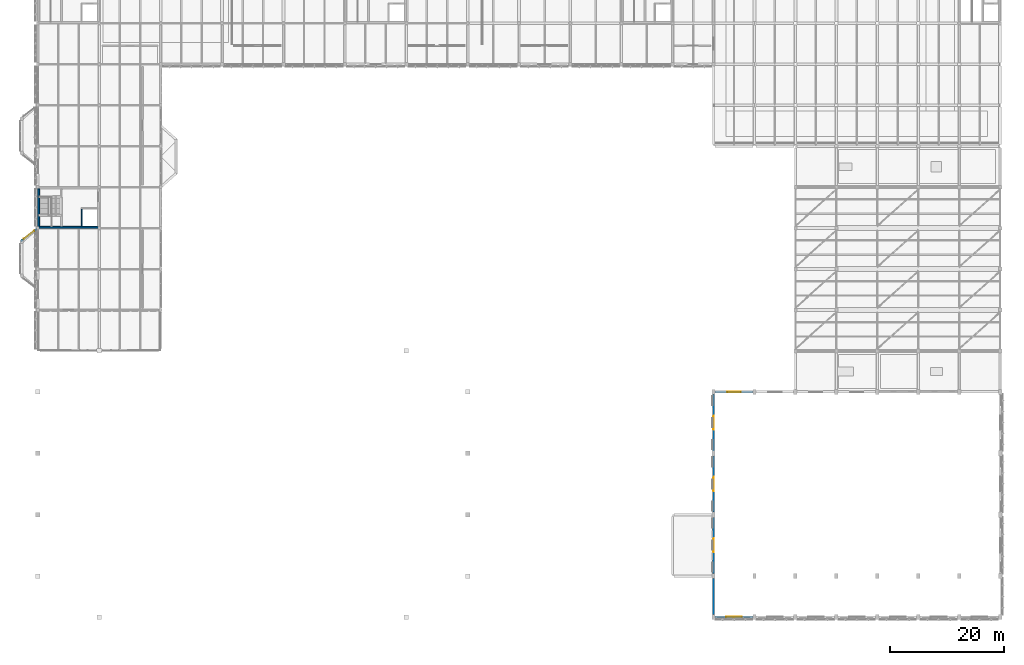
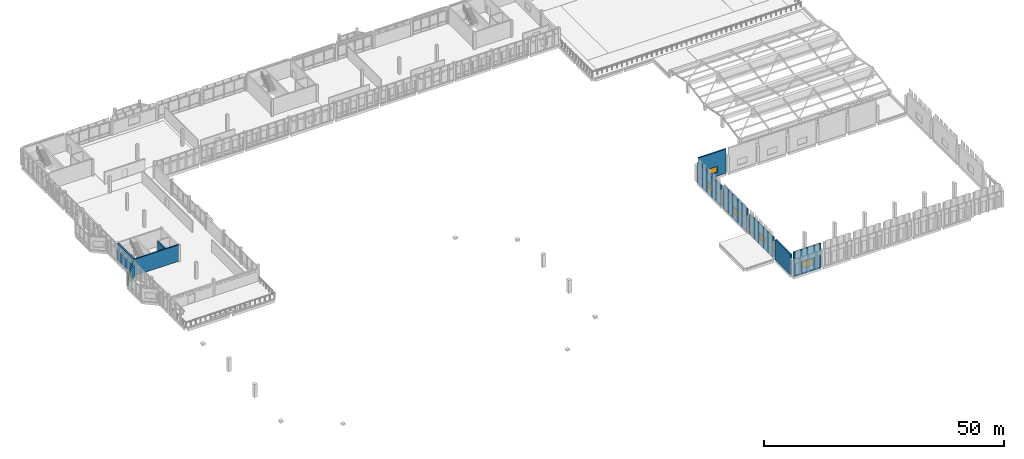
# One storey, part 56 of 72: 10 walls, 6 windows, 6 openings.
"""IFC4 building model written with IfcOpenShell, lengths in metres."""

from ifc_helpers import new_model, si_unit, direction, frame, frame_2d, origin, place, context, subcontext, project, spatial, rectangle, extrude, material, layer, layer_set, type_object, element, fill, save


model = new_model("IFC4")

# Units and contexts
model_context = context("Model", 3, precision=1e-05, world=origin(), true_north=direction((0.0, 1.0)))
body_context = subcontext(model_context, "Body", "Model", "MODEL_VIEW")
ifc_project = project(units=[si_unit("LENGTHUNIT", "METRE"), si_unit("AREAUNIT", "SQUARE_METRE"), si_unit("VOLUMEUNIT", "CUBIC_METRE"), si_unit("PLANEANGLEUNIT", "RADIAN"), si_unit("MASSUNIT", "GRAM", prefix="KILO")], contexts=[model_context])

# Site, building, storey
site_placement = place(None, origin())
site = spatial("IfcSite", under=ifc_project, at=site_placement, CompositionType="ELEMENT")
building_placement = place(site_placement, origin())
building = spatial("IfcBuilding", under=site, at=building_placement, Name="Lusvemor Sports Hall", CompositionType="ELEMENT")
storey_placement = place(building_placement, frame((0.0, 0.0, 15.0)))
storey = spatial("IfcBuildingStorey", under=building, at=storey_placement, Name="L03", CompositionType="ELEMENT", Elevation=15.0)

# Wall, opening, window
ifc_material_1 = material(Name="Warm terracotta Art Nouveau ceramic cladding on Concrete C40/50 backing", Category="masonry")
ifc_layer_1 = layer(ifc_material_1, 0.340087890625)
ifc_layer_set_1 = layer_set([ifc_layer_1], Name="Warm terracotta Art Nouveau ceramic cladding on Concrete C40/50 backing")
wall_type_1 = type_object("IfcWallType", Name="EW_TERR_CAV_340", PredefinedType="STANDARD", material=ifc_layer_set_1)
wall_1_placement = place(storey_placement, frame((125.7041015625, 0.0, -0.280029296875), z_axis=(0.0, 0.0, 1.0), x_axis=(-1.0, 0.0, 0.0)))
wall_1 = element("IfcWall", 1, at=wall_1_placement, inside=storey, type_object=wall_type_1, Name="Exterior Wall EW-V2CS-L03-0", PredefinedType="STANDARD", context=body_context, shape_type="SweptSolid", body=[
    extrude(rectangle(XDim=6.608154296875, YDim=0.340087890625, at=frame_2d((3.30419921875, 0.0))), origin(), (0.0, 0.0, 1.0), 6.165771484375),
])
opening_1_placement = place(wall_1_placement, frame((1.93408203125, 0.0, 1.199951171875)))
opening_1 = element("IfcOpeningElement", 2, at=opening_1_placement, cuts=wall_1, Name="Opening WN20", PredefinedType="OPENING", context=body_context, shape_type="SweptSolid", body=[
    extrude(rectangle(XDim=2.739990234375, YDim=1.820068359375, at=frame_2d((1.3701171875, 0.91015625))), frame((0.0, 0.169921875, 0.0), z_axis=(0.0, -1.0, 0.0), x_axis=(1.0, 0.0, 0.0)), (0.0, 0.0, 1.0), 0.340087890625),
])
ifc_material_2 = material(Name="Solar-control laminated double glazing", Category="glass")
window_type_1 = type_object("IfcWindowType", Name="WIN_20", PartitioningType="SINGLE_PANEL", PredefinedType="WINDOW", material=ifc_material_2)
window_1_placement = place(opening_1_placement, origin())
window_1 = element("IfcWindow", 3, at=window_1_placement, inside=storey, type_object=window_type_1, Name="Upper Court 3 South Clerestory 0", OverallHeight=1.820068359375, OverallWidth=2.739990234375, PartitioningType="SINGLE_PANEL", PredefinedType="WINDOW", context=body_context, shape_type="SweptSolid", body=[
    extrude(rectangle(XDim=2.739990234375, YDim=1.820068359375, at=frame_2d((1.3701171875, 0.91015625))), frame((0.0, 0.030029296875, 0.0), z_axis=(0.0, -1.0, 0.0), x_axis=(1.0, 0.0, 0.0)), (0.0, 0.0, 1.0), 0.06005859375),
])
fill(opening_1, window_1)

wall_2_placement = place(storey_placement, frame((119.095947265625, 39.60009765625, -0.280029296875), z_axis=(0.0, 0.0, 1.0), x_axis=(1.0, 0.0, 0.0)))
wall_2 = element("IfcWall", 4, at=wall_2_placement, inside=storey, type_object=wall_type_1, Name="Exterior Wall EW-V2N-L03-0", PredefinedType="STANDARD", context=body_context, shape_type="SweptSolid", body=[
    extrude(rectangle(XDim=6.608154296875, YDim=0.340087890625, at=frame_2d((3.30419921875, 0.0))), origin(), (0.0, 0.0, 1.0), 6.165771484375),
])
opening_2_placement = place(wall_2_placement, frame((2.14404296875, 0.0, 1.0)))
opening_2 = element("IfcOpeningElement", 5, at=opening_2_placement, cuts=wall_2, Name="Opening WN21", PredefinedType="OPENING", context=body_context, shape_type="SweptSolid", body=[
    extrude(rectangle(XDim=2.320068359375, YDim=1.52001953125, at=frame_2d((1.16015625, 0.760009765625))), frame((0.0, 0.169921875, 0.0), z_axis=(0.0, -1.0, 0.0), x_axis=(1.0, 0.0, 0.0)), (0.0, 0.0, 1.0), 0.340087890625),
])
ifc_material_3 = material(Name="Solar-control laminated double glazing", Category="glass")
window_type_2 = type_object("IfcWindowType", Name="WIN_21", PartitioningType="SINGLE_PANEL", PredefinedType="WINDOW", material=ifc_material_3)
window_2_placement = place(opening_2_placement, origin())
window_2 = element("IfcWindow", 6, at=window_2_placement, inside=storey, type_object=window_type_2, Name="Court 2/3 North Window L03-0", OverallHeight=1.52001953125, OverallWidth=2.320068359375, PartitioningType="SINGLE_PANEL", PredefinedType="WINDOW", context=body_context, shape_type="SweptSolid", body=[
    extrude(rectangle(XDim=2.320068359375, YDim=1.52001953125, at=frame_2d((1.16015625, 0.760009765625))), frame((0.0, 0.030029296875, 0.0), z_axis=(0.0, -1.0, 0.0), x_axis=(1.0, 0.0, 0.0)), (0.0, 0.0, 1.0), 0.06005859375),
])
fill(opening_2, window_2)

wall_3_placement = place(storey_placement, frame((118.800048828125, 7.64599609375, 0.0048828125), z_axis=(0.0, 0.0, 1.0), x_axis=(0.0, 1.0, 0.0)))
wall_3 = element("IfcWall", 7, at=wall_3_placement, inside=storey, type_object=wall_type_1, Name="Exterior Wall EW-V2W-L03-1", PredefinedType="STANDARD", context=body_context, shape_type="SweptSolid", body=[
    extrude(rectangle(XDim=9.907958984375, YDim=0.340087890625, at=frame_2d((4.9541015625, 0.0))), origin(), (0.0, 0.0, 1.0), 5.14013671875),
])
opening_3_placement = place(wall_3_placement, frame((3.714111328125, 0.0, 0.9951171875)))
opening_3 = element("IfcOpeningElement", 8, at=opening_3_placement, cuts=wall_3, Name="Opening WN34", PredefinedType="OPENING", context=body_context, shape_type="SweptSolid", body=[
    extrude(rectangle(XDim=2.47998046875, YDim=1.739990234375, at=frame_2d((1.239990234375, 0.8701171875))), frame((0.0, 0.169921875, 0.0), z_axis=(0.0, -1.0, 0.0), x_axis=(1.0, 0.0, 0.0)), (0.0, 0.0, 1.0), 0.340087890625),
])
ifc_material_4 = material(Name="Solar-control laminated double glazing", Category="glass")
window_type_3 = type_object("IfcWindowType", Name="WIN_34", PartitioningType="SINGLE_PANEL", PredefinedType="WINDOW", material=ifc_material_4)
window_3_placement = place(opening_3_placement, origin())
window_3 = element("IfcWindow", 9, at=window_3_placement, inside=storey, type_object=window_type_3, Name="Upper Court West Clerestory 1", OverallHeight=1.739990234375, OverallWidth=2.47998046875, PartitioningType="SINGLE_PANEL", PredefinedType="WINDOW", context=body_context, shape_type="SweptSolid", body=[
    extrude(rectangle(XDim=2.47998046875, YDim=1.739990234375, at=frame_2d((1.239990234375, 0.8701171875))), frame((0.0, 0.030029296875, 0.0), z_axis=(0.0, -1.0, 0.0), x_axis=(1.0, 0.0, 0.0)), (0.0, 0.0, 1.0), 0.06005859375),
])
fill(opening_3, window_3)

wall_4_placement = place(storey_placement, frame((118.800048828125, 18.446044921875, -0.10009765625), z_axis=(0.0, 0.0, 1.0), x_axis=(0.0, 1.0, 0.0)))
wall_4 = element("IfcWall", 10, at=wall_4_placement, inside=storey, type_object=wall_type_1, Name="Exterior Wall EW-V2W-L03-2", PredefinedType="STANDARD", context=body_context, shape_type="SweptSolid", body=[
    extrude(rectangle(XDim=9.907958984375, YDim=0.340087890625, at=frame_2d((4.9541015625, 0.0))), origin(), (0.0, 0.0, 1.0), 5.885009765625),
])
opening_4_placement = place(wall_4_placement, frame((3.714111328125, 0.0, 1.10009765625)))
opening_4 = element("IfcOpeningElement", 11, at=opening_4_placement, cuts=wall_4, Name="Opening WN34", PredefinedType="OPENING", context=body_context, shape_type="SweptSolid", body=[
    extrude(rectangle(XDim=2.47998046875, YDim=1.739990234375, at=frame_2d((1.239990234375, 0.8701171875))), frame((0.0, 0.169921875, 0.0), z_axis=(0.0, -1.0, 0.0), x_axis=(1.0, 0.0, 0.0)), (0.0, 0.0, 1.0), 0.340087890625),
])
window_4_placement = place(opening_4_placement, origin())
window_4 = element("IfcWindow", 12, at=window_4_placement, inside=storey, type_object=window_type_3, Name="Upper Court West Clerestory 2", OverallHeight=1.739990234375, OverallWidth=2.47998046875, PartitioningType="SINGLE_PANEL", PredefinedType="WINDOW", context=body_context, shape_type="SweptSolid", body=[
    extrude(rectangle(XDim=2.47998046875, YDim=1.739990234375, at=frame_2d((1.239990234375, 0.8701171875))), frame((0.0, 0.030029296875, 0.0), z_axis=(0.0, -1.0, 0.0), x_axis=(1.0, 0.0, 0.0)), (0.0, 0.0, 1.0), 0.06005859375),
])
fill(opening_4, window_4)

wall_5_placement = place(storey_placement, frame((118.800048828125, 29.24609375, -0.10009765625), z_axis=(0.0, 0.0, 1.0), x_axis=(0.0, 1.0, 0.0)))
wall_5 = element("IfcWall", 13, at=wall_5_placement, inside=storey, type_object=wall_type_1, Name="Exterior Wall EW-V2W-L03-3", PredefinedType="STANDARD", context=body_context, shape_type="SweptSolid", body=[
    extrude(rectangle(XDim=9.907958984375, YDim=0.340087890625, at=frame_2d((4.9541015625, 0.0))), origin(), (0.0, 0.0, 1.0), 5.2451171875),
])
opening_5_placement = place(wall_5_placement, frame((3.714111328125, 0.0, 1.10009765625)))
opening_5 = element("IfcOpeningElement", 14, at=opening_5_placement, cuts=wall_5, Name="Opening WN34", PredefinedType="OPENING", context=body_context, shape_type="SweptSolid", body=[
    extrude(rectangle(XDim=2.47998046875, YDim=1.739990234375, at=frame_2d((1.239990234375, 0.8701171875))), frame((0.0, 0.169921875, 0.0), z_axis=(0.0, -1.0, 0.0), x_axis=(1.0, 0.0, 0.0)), (0.0, 0.0, 1.0), 0.340087890625),
])
window_5_placement = place(opening_5_placement, origin())
window_5 = element("IfcWindow", 15, at=window_5_placement, inside=storey, type_object=window_type_3, Name="Upper Court West Clerestory 3", OverallHeight=1.739990234375, OverallWidth=2.47998046875, PartitioningType="SINGLE_PANEL", PredefinedType="WINDOW", context=body_context, shape_type="SweptSolid", body=[
    extrude(rectangle(XDim=2.47998046875, YDim=1.739990234375, at=frame_2d((1.239990234375, 0.8701171875))), frame((0.0, 0.030029296875, 0.0), z_axis=(0.0, -1.0, 0.0), x_axis=(1.0, 0.0, 0.0)), (0.0, 0.0, 1.0), 0.06005859375),
])
fill(opening_5, window_5)

# Wall
wall_6_placement = place(storey_placement, frame((118.800048828125, 0.43994140625, -0.10009765625), z_axis=(0.0, 0.0, 1.0), x_axis=(0.0, 1.0, 0.0)))
element("IfcWall", 16, at=wall_6_placement, inside=storey, type_object=wall_type_1, Name="Exterior Wall EW-V2W-S0-L03", PredefinedType="STANDARD", context=body_context, shape_type="SweptSolid", body=[
    extrude(rectangle(XDim=6.320068359375, YDim=0.340087890625, at=frame_2d((3.16015625, 0.0))), origin(), (0.0, 0.0, 1.0), 5.2451171875),
])

# Wall, opening, window
ifc_material_5 = material(Name="Emerald polychrome glazed ceramic cladding on Concrete C40/50 backing", Category="concrete")
ifc_layer_2 = layer(ifc_material_5, 0.364990234375)
ifc_layer_set_2 = layer_set([ifc_layer_2], Name="Emerald polychrome glazed ceramic cladding on Concrete C40/50 backing")
wall_type_2 = type_object("IfcWallType", Name="EW_WAVE_CER_365", PredefinedType="STANDARD", material=ifc_layer_set_2)
wall_7_placement = place(storey_placement, frame((-3.005126953125, 66.073486328125, 0.0), z_axis=(0.0, 0.0, 1.0), x_axis=(0.790714138773, 0.612185552545, 0.0)))
wall_7 = element("IfcWall", 17, at=wall_7_placement, inside=storey, type_object=wall_type_2, Name="Art Nouveau Bow Wall EW-BOW-W1-L03-3", PredefinedType="STANDARD", context=body_context, shape_type="SweptSolid", body=[
    extrude(rectangle(XDim=3.585693359375, YDim=0.364990234375, at=frame_2d((1.79296875, 0.0))), origin(), (0.0, 0.0, 1.0), 3.280029296875),
])
opening_6_placement = place(wall_7_placement, frame((0.679931640625, 0.0, 0.699951171875)))
opening_6 = element("IfcOpeningElement", 18, at=opening_6_placement, cuts=wall_7, Name="Opening WN21", PredefinedType="OPENING", context=body_context, shape_type="SweptSolid", body=[
    extrude(rectangle(XDim=2.320068359375, YDim=1.52001953125, at=frame_2d((1.16015625, 0.760009765625))), frame((0.0, 0.1826171875, 0.0), z_axis=(0.0, -1.0, 0.0), x_axis=(1.0, 0.0, 0.0)), (0.0, 0.0, 1.0), 0.364990234375),
])
window_6_placement = place(opening_6_placement, origin())
window_6 = element("IfcWindow", 19, at=window_6_placement, inside=storey, type_object=window_type_2, Name="Art Nouveau Bow Window BOW-W1 L03-3", OverallHeight=1.52001953125, OverallWidth=2.320068359375, PartitioningType="SINGLE_PANEL", PredefinedType="WINDOW", context=body_context, shape_type="SweptSolid", body=[
    extrude(rectangle(XDim=2.320068359375, YDim=1.52001953125, at=frame_2d((1.16015625, 0.760009765625))), frame((0.0, 0.030029296875, 0.0), z_axis=(0.0, -1.0, 0.0), x_axis=(1.0, 0.0, 0.0)), (0.0, 0.0, 1.0), 0.06005859375),
])
fill(opening_6, window_6)

# Walls
ifc_material_6 = material(Name="Concrete C40/50", Category="concrete")
ifc_layer_3 = layer(ifc_material_6, 0.2099609375)
ifc_layer_set_3 = layer_set([ifc_layer_3], Name="Concrete C40/50")
wall_type_3 = type_object("IfcWallType", Name="IW_SHFT_212", PredefinedType="STANDARD", material=ifc_layer_set_3)
wall_8_placement = place(storey_placement, frame((7.695068359375, 68.699951171875, 0.0), z_axis=(0.0, 0.0, 1.0), x_axis=(0.0, 1.0, 0.0)))
element("IfcWall", 20, at=wall_8_placement, inside=storey, type_object=wall_type_3, Name="Lift LP-02 Shaft Side Wall (L03)", PredefinedType="STANDARD", context=body_context, shape_type="SweptSolid", body=[
    extrude(rectangle(XDim=3.045166015625, YDim=0.2099609375, at=frame_2d((1.5224609375, 0.0))), origin(), (0.0, 0.0, 1.0), 4.199951171875),
])
ifc_material_7 = material(Name="Concrete C40/50", Category="concrete")
ifc_layer_4 = layer(ifc_material_7, 0.300048828125)
ifc_layer_set_4 = layer_set([ifc_layer_4], Name="Concrete C40/50")
wall_type_4 = type_object("IfcWallType", Name="WALL_CORE_300_INT", PredefinedType="SHEAR", material=ifc_layer_set_4)
wall_9_placement = place(storey_placement, frame((10.800048828125, 68.550048828125, 0.0), z_axis=(0.0, 0.0, 1.0), x_axis=(-1.0, 0.0, 0.0)))
element("IfcWall", 21, at=wall_9_placement, inside=storey, type_object=wall_type_4, Name="Core C3 West-Central Shear Wall S (L03)", PredefinedType="SHEAR", context=body_context, shape_type="SweptSolid", body=[
    extrude(rectangle(XDim=10.800048828125, YDim=0.300048828125, at=frame_2d((5.39990234375, 0.0))), origin(), (0.0, 0.0, 1.0), 4.199951171875),
])
ifc_material_8 = material(Name="Concrete C40/50", Category="concrete")
ifc_layer_5 = layer(ifc_material_8, 0.324951171875)
ifc_layer_set_5 = layer_set([ifc_layer_5], Name="Concrete C40/50")
wall_type_5 = type_object("IfcWallType", Name="WALL_CORE_325_EXT", PredefinedType="SHEAR", material=ifc_layer_set_5)
wall_10_placement = place(storey_placement, frame((0.14990234375, 68.699951171875, 0.0), z_axis=(0.0, 0.0, 1.0), x_axis=(0.0, 1.0, 0.0)))
element("IfcWall", 22, at=wall_10_placement, inside=storey, type_object=wall_type_5, Name="Core C3 West-Central Shear Wall W (L03)", PredefinedType="SHEAR", context=body_context, shape_type="SweptSolid", body=[
    extrude(rectangle(XDim=6.60009765625, YDim=0.324951171875, at=frame_2d((3.300048828125, 0.0))), origin(), (0.0, 0.0, 1.0), 4.199951171875),
])

save(model, "model.ifc")
